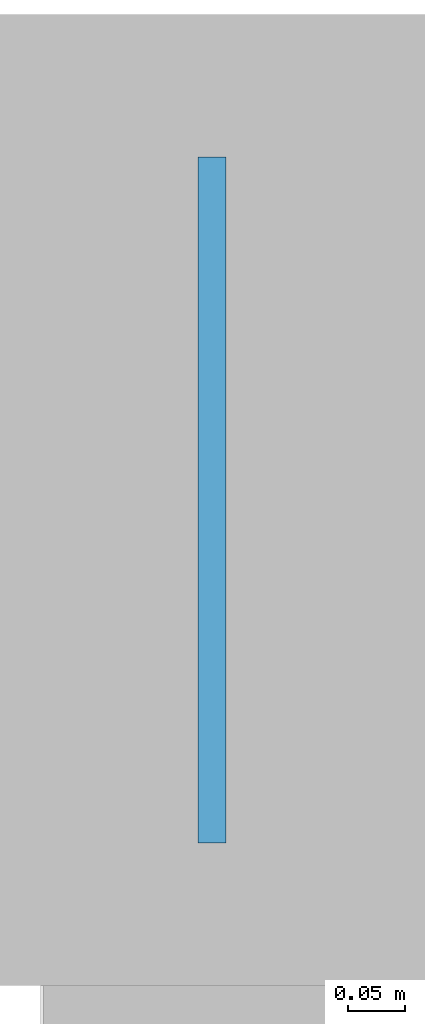
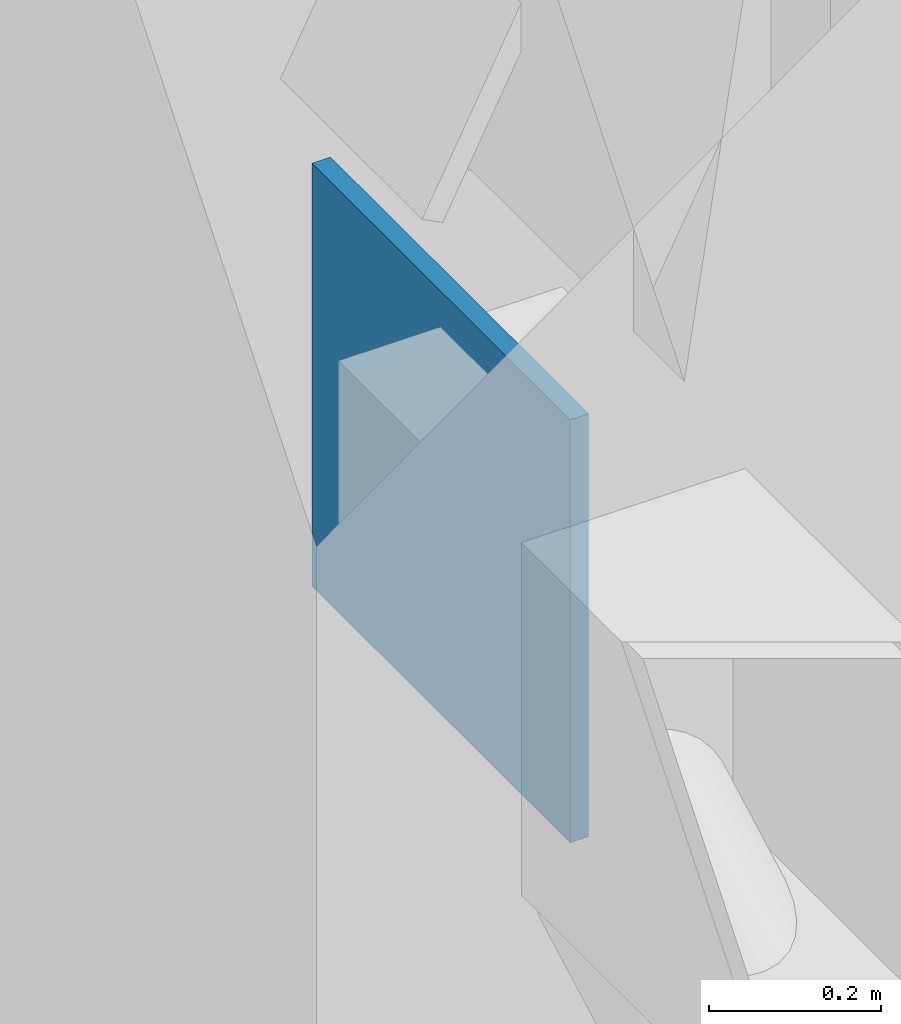
# One storey, part 43 of 72: 1 plate.
"""IFC4 building model written with IfcOpenShell, lengths in metres."""

from ifc_helpers import new_model, si_unit, direction, frame, origin, origin_2d, place, context, subcontext, project, spatial, rectangle, extrude, material, layer, layer_set, type_object, element, save


model = new_model("IFC4")

# Units and contexts
model_context = context("Model", 3, precision=1e-05, world=origin(), true_north=direction((0.0, 1.0)))
body_context = subcontext(model_context, "Body", "Model", "MODEL_VIEW")
ifc_project = project(units=[si_unit("LENGTHUNIT", "METRE"), si_unit("AREAUNIT", "SQUARE_METRE"), si_unit("VOLUMEUNIT", "CUBIC_METRE"), si_unit("PLANEANGLEUNIT", "RADIAN"), si_unit("MASSUNIT", "GRAM", prefix="KILO")], contexts=[model_context])

# Site, building, storey
site_placement = place(None, origin())
site = spatial("IfcSite", under=ifc_project, at=site_placement, CompositionType="ELEMENT")
building_placement = place(site_placement, origin())
building = spatial("IfcBuilding", under=site, at=building_placement, Name="Tlaxcora Railside Police Headquarters", CompositionType="ELEMENT")
storey_placement = place(building_placement, frame((0.0, 0.0, 13.5)))
storey = spatial("IfcBuildingStorey", under=building, at=storey_placement, Name="L03", CompositionType="ELEMENT", Elevation=13.5)

# Plate
ifc_material = material(Name="Steel ASTM A992 Grade 50", Category="steel")
ifc_layer = layer(ifc_material, 0.02490234375, Name="Steel ASTM A992 Grade 50")
ifc_layer_set = layer_set([ifc_layer], Name="Steel ASTM A992 Grade 50")
plate_type = type_object("IfcPlateType", Name="Structural Gusset or Cap Plate GP-22", PredefinedType="USERDEFINED", material=ifc_layer_set)
plate_placement = place(storey_placement, frame((46.0, 60.0, 3.219970703125), z_axis=(0.0, 0.0, 1.0), x_axis=(0.0, 1.0, 0.0)))
element("IfcPlate", 1, at=plate_placement, inside=storey, type_object=plate_type, Name="Truss top-chord gusset plate KNT-1-0", ObjectType="GUSSET PLATE", PredefinedType="USERDEFINED", context=body_context, shape_type="SweptSolid", body=[
    extrude(rectangle(XDim=0.60009765625, YDim=0.02490234375, at=origin_2d()), origin(), (0.0, 0.0, 1.0), 0.60009765625),
])

save(model, "model.ifc")
